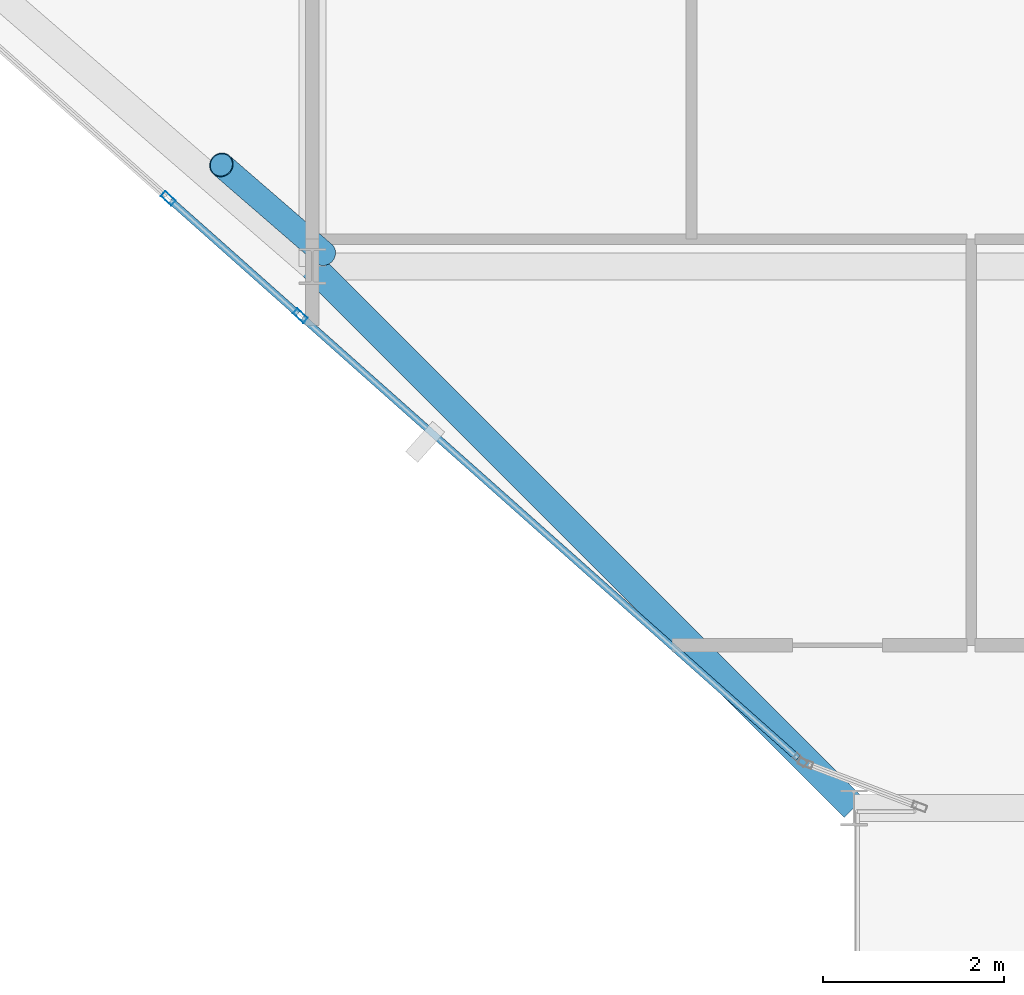
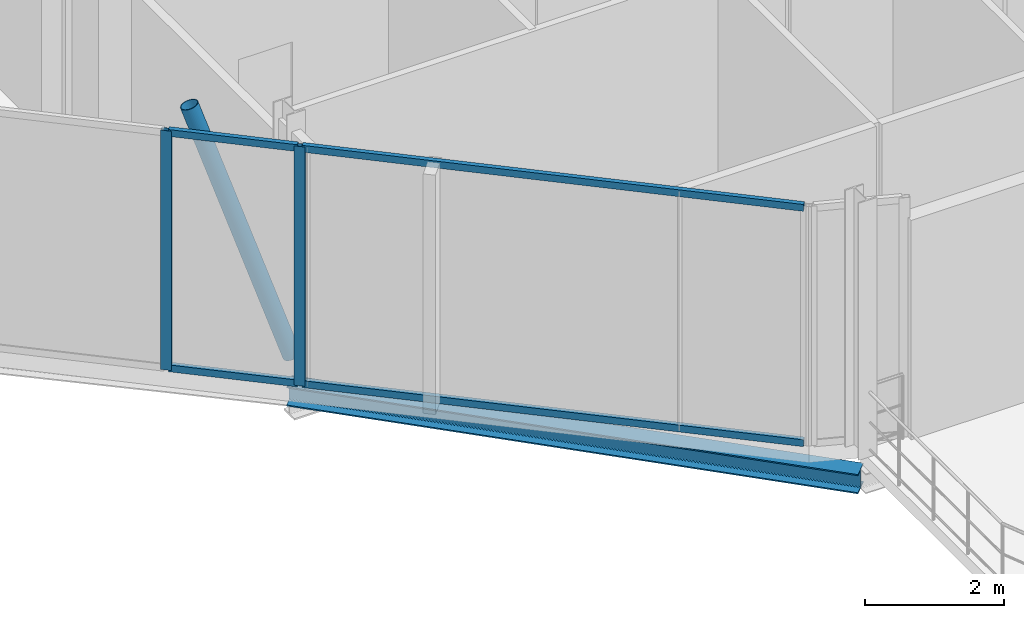
# One storey, part 3 of 24: 7 members, 1 beam, 2 elements without a shape of their own.
"""IFC4 building model written with IfcOpenShell, lengths in metres."""

import ifcopenshell
import ifcopenshell.guid

model = None  # the IFC model being written
_history = None  # IfcOwnerHistory: only IFC2X3 demands one
_inside = {}  # id of a spatial element -> (the spatial element, [elements in it])
_under = {}  # id of a project, library or spatial element -> (it, [spatial elements below it])
_declared = {}  # id of a project -> (the project, [libraries it declares])
_typed = {}  # id of a type object -> (the type object, [elements of that type])
_made_of = {}  # id of a material, layer set ... -> (it, [elements and type objects made of it])


def new_model(schema):
    """Start an empty IFC model of exactly this schema.

    Asked for "IFC4X3", IfcOpenShell would pick the latest addendum, in which some entities
    have other attributes; the version numbers below select the first issue.
    IFC2X3 requires an IfcOwnerHistory on every rooted entity: one is made here for all.
    """
    global model, _history
    if schema == "IFC4X3":
        model = ifcopenshell.file(schema_version=(4, 3, 0, 0))
    else:
        model = ifcopenshell.file(schema=schema)
    _inside.clear()
    _under.clear()
    _declared.clear()
    _typed.clear()
    _made_of.clear()
    _history = None
    if model.schema == "IFC2X3":
        org = make("IfcOrganization", Name="unknown")
        user = make(
            "IfcPersonAndOrganization",
            ThePerson=make("IfcPerson", FamilyName="unknown"),
            TheOrganization=org,
        )
        app = make(
            "IfcApplication",
            ApplicationDeveloper=org,
            Version="unknown",
            ApplicationFullName="unknown",
            ApplicationIdentifier="unknown",
        )
        _history = make(
            "IfcOwnerHistory",
            OwningUser=user,
            OwningApplication=app,
            ChangeAction="ADDED",
            CreationDate=0,
        )
    return model


def make(cls, **values):
    """One entity of the class cls with the attributes given. An attribute that is None is left unset."""
    return model.create_entity(
        cls, **{name: value for name, value in values.items() if value is not None}
    )


def rooted(cls, **values):
    """An entity with a GlobalId (a new one), such as an element, a storey or a relation."""
    return make(cls, GlobalId=ifcopenshell.guid.new(), OwnerHistory=_history, **values)


def si_unit(unit_type, name, prefix=None):
    """IfcSIUnit, for example si_unit("LENGTHUNIT", "METRE", prefix="MILLI")."""
    return make("IfcSIUnit", UnitType=unit_type, Prefix=prefix, Name=name)


def assignment(units):
    """IfcUnitAssignment: the units of a project."""
    return None if units is None else make("IfcUnitAssignment", Units=units)


def point(xyz):
    """IfcCartesianPoint."""
    return None if xyz is None else make("IfcCartesianPoint", Coordinates=xyz)


def direction(xyz):
    """IfcDirection."""
    return None if xyz is None else make("IfcDirection", DirectionRatios=xyz)


def frame(location, z_axis=None, x_axis=None):
    """IfcAxis2Placement3D, a coordinate frame: its origin and axes. An axis left out is left unset."""
    return make(
        "IfcAxis2Placement3D",
        Location=point(location),
        Axis=direction(z_axis),
        RefDirection=direction(x_axis),
    )


def frame_2d(location, x_axis=None):
    """IfcAxis2Placement2D, a coordinate frame in the plane: its origin and x axis."""
    return make(
        "IfcAxis2Placement2D", Location=point(location), RefDirection=direction(x_axis)
    )


def origin():
    """The frame at (0, 0, 0) with its axes left unset."""
    return frame((0.0, 0.0, 0.0))


def origin_2d():
    """The frame at (0, 0) in the plane with its x axis left unset."""
    return frame_2d((0.0, 0.0))


def place(relative_to, where):
    """IfcLocalPlacement: puts the frame where relative to a parent placement (None: the world)."""
    return make(
        "IfcLocalPlacement", PlacementRelTo=relative_to, RelativePlacement=where
    )


def context(
    kind, dimensions, precision=None, world=None, true_north=None, identifier=None
):
    """IfcGeometricRepresentationContext, for example the 3D "Model" context."""
    return make(
        "IfcGeometricRepresentationContext",
        ContextIdentifier=identifier,
        ContextType=kind,
        CoordinateSpaceDimension=dimensions,
        Precision=precision,
        WorldCoordinateSystem=world,
        TrueNorth=true_north,
    )


def subcontext(parent, identifier, kind, view, scale=None):
    """IfcGeometricRepresentationSubContext, for example "Body" below "Model"."""
    return make(
        "IfcGeometricRepresentationSubContext",
        ContextIdentifier=identifier,
        ContextType=kind,
        ParentContext=parent,
        TargetScale=scale,
        TargetView=view,
    )


def project(units=None, contexts=None):
    """IfcProject with its units and contexts."""
    return rooted(
        "IfcProject",
        Name="project",
        RepresentationContexts=contexts,
        UnitsInContext=assignment(units),
    )


def spatial(cls, under=None, at=None, **own):
    """A site, building, storey or space (cls), placed at a placement, below another one or the project."""
    s = rooted(cls, ObjectPlacement=at, **own)
    if under is not None:
        _under.setdefault(under.id(), (under, []))[1].append(s)
    return s


def profile(cls, at=None, kind="AREA", **sizes):
    """A parametric profile (cls). Its sizes go by their IFC names, for example OverallWidth=200.0."""
    return make(cls, ProfileType=kind, Position=at, **sizes)


def hollow_rectangle(**sizes):
    """IfcRectangleHollowProfileDef."""
    return profile("IfcRectangleHollowProfileDef", **sizes)


def hollow_circle(**sizes):
    """IfcCircleHollowProfileDef."""
    return profile("IfcCircleHollowProfileDef", **sizes)


def i_section(**sizes):
    """IfcIShapeProfileDef."""
    return profile("IfcIShapeProfileDef", **sizes)


def extrude(swept, where, along, depth):
    """IfcExtrudedAreaSolid: the profile swept, set in the frame where, extruded along a direction by depth."""
    return make(
        "IfcExtrudedAreaSolid",
        SweptArea=swept,
        Position=where,
        ExtrudedDirection=direction(along),
        Depth=depth,
    )


def shape(context_of_items, identifier, shape_type, items):
    """IfcShapeRepresentation: the items that make up one representation, for example the "Body"."""
    return make(
        "IfcShapeRepresentation",
        ContextOfItems=context_of_items,
        RepresentationIdentifier=identifier,
        RepresentationType=shape_type,
        Items=items,
    )


def material(Name=None, Category=None):
    """IfcMaterial."""
    return make("IfcMaterial", Name=Name, Category=Category)


def layer(
    of_material, thickness, ventilated=None, Name=None, Category=None, Priority=None
):
    """IfcMaterialLayer: one layer of a wall or slab, of a material (None: an air gap)."""
    return make(
        "IfcMaterialLayer",
        Material=of_material,
        LayerThickness=thickness,
        IsVentilated=ventilated,
        Name=Name,
        Category=Category,
        Priority=Priority,
    )


def layer_set(layers, Name=None):
    """IfcMaterialLayerSet."""
    return make("IfcMaterialLayerSet", MaterialLayers=layers, LayerSetName=Name)


def material_profile(
    of_material, cross_section, Name=None, Category=None, Priority=None
):
    """IfcMaterialProfile: a cross section and its material."""
    return make(
        "IfcMaterialProfile",
        Name=Name,
        Material=of_material,
        Profile=cross_section,
        Priority=Priority,
        Category=Category,
    )


def profile_set(profiles, Name=None, composite=None):
    """IfcMaterialProfileSet."""
    return make(
        "IfcMaterialProfileSet",
        Name=Name,
        MaterialProfiles=profiles,
        CompositeProfile=composite,
    )


def made_of(thing, what):
    """Note that an element or type object is made of a material, layer set ...; save() writes the relation."""
    if what is not None:
        _made_of.setdefault(what.id(), (what, []))[1].append(thing)
    return thing


def type_object(cls, material=None, **own):
    """A type object (cls), such as IfcWallType, which elements share."""
    return made_of(rooted(cls, **own), material)


def element(
    cls,
    number,
    at=None,
    inside=None,
    cuts=None,
    type_object=None,
    material=None,
    context=None,
    identifier="Body",
    shape_type=None,
    held_by="IfcProductDefinitionShape",
    body=None,
    shapes=None,
    **own,
):
    """One element of the class cls, such as IfcWall. Its Tag is "e" and its number.

    at: its placement. inside: the storey or other place that contains it. cuts: it is an
    opening in that element (IfcRelVoidsElement). A single representation is given by context,
    identifier, shape_type and body (its items); several are given by shapes. held_by: the class
    of the entity that holds the representations. save() writes the other relations.
    """
    e = rooted(cls, Tag="e%d" % number, ObjectPlacement=at, **own)
    if body is not None:
        shapes = [shape(context, identifier, shape_type, body)]
    if shapes is not None:
        e.Representation = make(held_by, Representations=shapes)
    if inside is not None:
        _inside.setdefault(inside.id(), (inside, []))[1].append(e)
    if cuts is not None:
        rooted(
            "IfcRelVoidsElement", RelatingBuildingElement=cuts, RelatedOpeningElement=e
        )
    if type_object is not None:
        _typed.setdefault(type_object.id(), (type_object, []))[1].append(e)
    return made_of(e, material)


def aggregate(whole, parts):
    """IfcRelAggregates: a whole, such as a stair, and the parts it consists of."""
    return rooted("IfcRelAggregates", RelatingObject=whole, RelatedObjects=parts)


def save(model, path):
    """Write the relations noted so far, then the file.

    IfcRelAggregates (storeys below a building ...), IfcRelContainedInSpatialStructure (elements
    in a storey), IfcRelDefinesByType, IfcRelAssociatesMaterial and IfcRelDeclares: one each for
    every whole, place, type object, material and project.
    """
    for whole, parts in _under.values():
        aggregate(whole, parts)
    for where, things in _inside.values():
        rooted(
            "IfcRelContainedInSpatialStructure",
            RelatedElements=things,
            RelatingStructure=where,
        )
    for kind, things in _typed.values():
        rooted("IfcRelDefinesByType", RelatedObjects=things, RelatingType=kind)
    for what, things in _made_of.values():
        rooted("IfcRelAssociatesMaterial", RelatedObjects=things, RelatingMaterial=what)
    for by, libraries in _declared.values():
        rooted("IfcRelDeclares", RelatingContext=by, RelatedDefinitions=libraries)
    model.write(path)


model = new_model("IFC4")

# Units and contexts
model_context = context("Model", 3, precision=1e-05, world=origin(), true_north=direction((0.0, 1.0)))
body_context = subcontext(model_context, "Body", "Model", "MODEL_VIEW")
ifc_project = project(units=[si_unit("LENGTHUNIT", "METRE"), si_unit("AREAUNIT", "SQUARE_METRE"), si_unit("VOLUMEUNIT", "CUBIC_METRE"), si_unit("PLANEANGLEUNIT", "RADIAN"), si_unit("MASSUNIT", "GRAM", prefix="KILO")], contexts=[model_context])

# Site, building, storey
site_placement = place(None, origin())
site = spatial("IfcSite", under=ifc_project, at=site_placement, CompositionType="ELEMENT")
building_placement = place(site_placement, origin())
building = spatial("IfcBuilding", under=site, at=building_placement, Name="Keshet Zoharim Tower", CompositionType="ELEMENT")
storey_placement = place(building_placement, frame((0.0, 0.0, 242.800048828125)))
storey = spatial("IfcBuildingStorey", under=building, at=storey_placement, Name="L60", CompositionType="ELEMENT", Elevation=242.800048828125)

# Beam
ifc_material_1 = material(Name="Steel S355", Category="steel")
ifc_material_profile_1 = material_profile(ifc_material_1, i_section(OverallWidth=0.300048828125, OverallDepth=0.340087890625, WebThickness=0.011962890625, FlangeThickness=0.021484375, FilletRadius=0.027099609375, at=origin_2d()), Name="HEB340")
ifc_profile_set_1 = profile_set([ifc_material_profile_1], Name="Steel S355")
beam_type = type_object("IfcBeamType", Name="BM-SPN-HB340", PredefinedType="SPANDREL", material=ifc_profile_set_1)
beam_placement = place(storey_placement, frame((21.0, 6.699951171875, -0.489990234375), z_axis=(-0.707106781187, 0.707106781187, 0.0), x_axis=(-0.707106781187, -0.707106781187, 0.0)))
element("IfcBeam", 1, at=beam_placement, inside=storey, type_object=beam_type, Name="L60 Perimeter Spandrel Beam 01", PredefinedType="SPANDREL", context=body_context, shape_type="SweptSolid", body=[
    extrude(i_section(OverallWidth=0.300048828125, OverallDepth=0.340087890625, WebThickness=0.011962890625, FlangeThickness=0.021484375, FilletRadius=0.027099609375, at=origin_2d()), origin(), (0.0, 0.0, 1.0), 8.4853515625),
])

# Curtain wall, member
ifc_material_2 = material(Name="Aluminium 6063-T6", Category="aluminium")
ifc_layer = layer(ifc_material_2, 0.260009765625)
ifc_layer_set = layer_set([ifc_layer], Name="Aluminium 6063-T6")
curtain_wall_type = type_object("IfcCurtainWallType", Name="CW-SYS-06", PredefinedType="NOTDEFINED", material=ifc_layer_set)
curtain_wall_1_placement = place(storey_placement, origin())
curtain_wall_1 = element("IfcCurtainWall", 2, at=curtain_wall_1_placement, inside=storey, type_object=curtain_wall_type, Name="L60 Unitised Curtain Wall 15", PredefinedType="NOTDEFINED")
ifc_material_profile_2 = material_profile(ifc_material_2, hollow_rectangle(XDim=0.074951171875, YDim=0.159912109375, WallThickness=0.00390625, at=origin_2d()), Name="MUL-75x160")
ifc_profile_set_2 = profile_set([ifc_material_profile_2], Name="Aluminium 6063-T6")
member_type_1 = type_object("IfcMemberType", Name="CWM-M15", PredefinedType="MULLION", material=ifc_profile_set_2)
member_1_placement = place(storey_placement, frame((14.865966796875, 12.152587890625, 0.0), z_axis=(0.0, 0.0, 1.0), x_axis=(-0.664361350167, -0.747411530821, 0.0)))
member_1 = element("IfcMember", 3, at=member_1_placement, type_object=member_type_1, Name="CW-06 mullion 2", PredefinedType="MULLION", context=body_context, shape_type="SweptSolid", body=[
    extrude(hollow_rectangle(XDim=0.074951171875, YDim=0.159912109375, WallThickness=0.00390625, at=origin_2d()), origin(), (0.0, 0.0, 1.0), 4.18994140625),
])

curtain_wall_2_placement = place(storey_placement, origin())
curtain_wall_2 = element("IfcCurtainWall", 4, at=curtain_wall_2_placement, inside=storey, type_object=curtain_wall_type, Name="L60 Unitised Curtain Wall 15 Part 2", PredefinedType="NOTDEFINED")
member_2_placement = place(storey_placement, frame((13.403076171875, 13.452880859375, 0.0), z_axis=(0.0, 0.0, 1.0), x_axis=(-0.664370181953, -0.747403680303, 0.0)))
member_2 = element("IfcMember", 5, at=member_2_placement, type_object=member_type_1, Name="CW-06 mullion 2", PredefinedType="MULLION", context=body_context, shape_type="SweptSolid", body=[
    extrude(hollow_rectangle(XDim=0.074951171875, YDim=0.159912109375, WallThickness=0.00390625, at=origin_2d()), origin(), (0.0, 0.0, 1.0), 4.18994140625),
])

# Member
ifc_material_profile_3 = material_profile(ifc_material_2, hollow_rectangle(XDim=0.074951171875, YDim=0.1201171875, WallThickness=0.00390625, at=origin_2d()), Name="TRN-75x120")
ifc_profile_set_3 = profile_set([ifc_material_profile_3], Name="Aluminium 6063-T6")
member_type_2 = type_object("IfcMemberType", Name="CWT-T12", PredefinedType="USERDEFINED", material=ifc_profile_set_3)
member_3_placement = place(storey_placement, frame((20.379638671875, 7.25146484375, 0.034912109375), z_axis=(-0.747401980297, 0.664372094423, 0.0), x_axis=(-0.664372094423, -0.747401980297, 0.0)))
member_3 = element("IfcMember", 6, at=member_3_placement, type_object=member_type_2, Name="CW-06 transom 1.1", ObjectType="TRANSOM", PredefinedType="USERDEFINED", context=body_context, shape_type="SweptSolid", body=[
    extrude(hollow_rectangle(XDim=0.074951171875, YDim=0.1201171875, WallThickness=0.00390625, at=origin_2d()), origin(), (0.0, 0.0, 1.0), 7.34228515625),
])

member_4_placement = place(storey_placement, frame((20.379638671875, 7.25146484375, 4.155029296875), z_axis=(-0.747401980297, 0.664372094423, 0.0), x_axis=(-0.664372094423, -0.747401980297, 0.0)))
member_4 = element("IfcMember", 7, at=member_4_placement, type_object=member_type_2, Name="CW-06 transom 1.2", ObjectType="TRANSOM", PredefinedType="USERDEFINED", context=body_context, shape_type="SweptSolid", body=[
    extrude(hollow_rectangle(XDim=0.074951171875, YDim=0.1201171875, WallThickness=0.00390625, at=origin_2d()), origin(), (0.0, 0.0, 1.0), 7.34228515625),
])

aggregate(curtain_wall_1, [member_1, member_3, member_4])

member_5_placement = place(storey_placement, frame((14.839599609375, 12.17578125, 0.034912109375), z_axis=(-0.747352216078, 0.664428073702, 0.0), x_axis=(-0.664428073702, -0.747352216078, 0.0)))
member_5 = element("IfcMember", 8, at=member_5_placement, type_object=member_type_2, Name="CW-06 transom 1.1", ObjectType="TRANSOM", PredefinedType="USERDEFINED", context=body_context, shape_type="SweptSolid", body=[
    extrude(hollow_rectangle(XDim=0.074951171875, YDim=0.1201171875, WallThickness=0.00390625, at=origin_2d()), origin(), (0.0, 0.0, 1.0), 1.88720703125),
])

member_6_placement = place(storey_placement, frame((14.839599609375, 12.17578125, 4.155029296875), z_axis=(-0.747352216078, 0.664428073702, 0.0), x_axis=(-0.664428073702, -0.747352216078, 0.0)))
member_6 = element("IfcMember", 9, at=member_6_placement, type_object=member_type_2, Name="CW-06 transom 1.2", ObjectType="TRANSOM", PredefinedType="USERDEFINED", context=body_context, shape_type="SweptSolid", body=[
    extrude(hollow_rectangle(XDim=0.074951171875, YDim=0.1201171875, WallThickness=0.00390625, at=origin_2d()), origin(), (0.0, 0.0, 1.0), 1.88720703125),
])

aggregate(curtain_wall_2, [member_2, member_5, member_6])

ifc_material_profile_4 = material_profile(ifc_material_1, hollow_circle(Radius=0.136474609375, WallThickness=0.010009765625, at=origin_2d()), Name="CHS273x10")
ifc_profile_set_4 = profile_set([ifc_material_profile_4], Name="Steel S355")
member_type_3 = type_object("IfcMemberType", Name="MB-BR-C273", PredefinedType="BRACE", material=ifc_profile_set_4)
member_7_placement = place(storey_placement, frame((15.1259765625, 12.842041015625, 0.0), z_axis=(-0.254817472887, 0.220640662207, 0.9414806178), x_axis=(-0.654589683411, -0.755984355904, 0.0)))
element("IfcMember", 10, at=member_7_placement, inside=storey, type_object=member_type_3, Name="L60 Perimeter Tube Brace 01", PredefinedType="BRACE", context=body_context, shape_type="SweptSolid", body=[
    extrude(hollow_circle(Radius=0.136474609375, WallThickness=0.010009765625, at=origin_2d()), origin(), (0.0, 0.0, 1.0), 4.450439453125),
])

save(model, "model.ifc")
